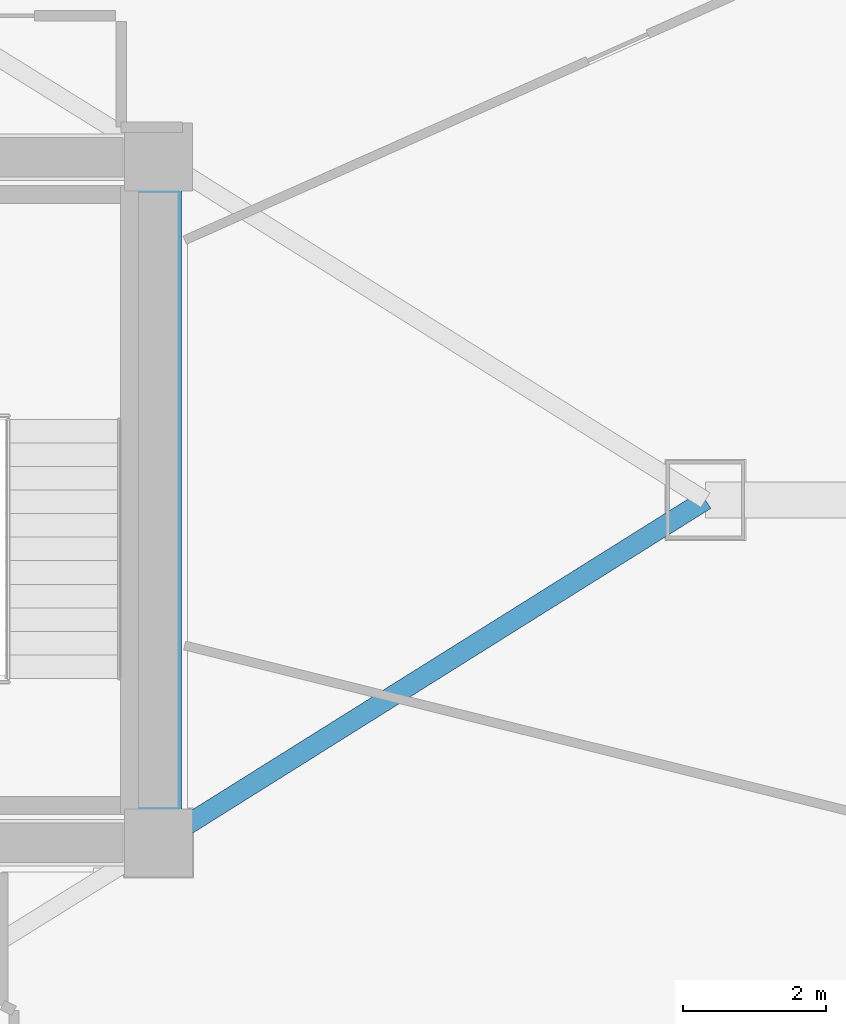
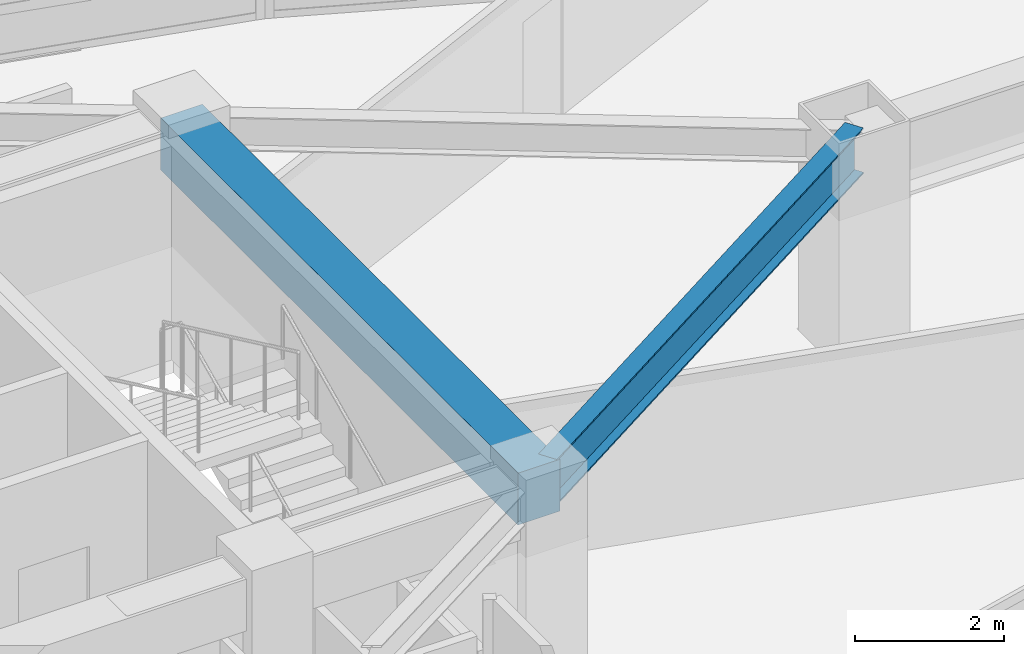
# One storey, part 6 of 18: 2 beams.
"""IFC4 building model written with IfcOpenShell, lengths in metres."""

from ifc_helpers import new_model, si_unit, direction, frame, origin, origin_2d, place, context, subcontext, project, spatial, rectangle, i_section, extrude, material, material_profile, profile_set, type_object, element, save


model = new_model("IFC4")

# Units and contexts
model_context = context("Model", 3, precision=1e-05, world=origin(), true_north=direction((0.0, 1.0)))
body_context = subcontext(model_context, "Body", "Model", "MODEL_VIEW")
ifc_project = project(units=[si_unit("LENGTHUNIT", "METRE"), si_unit("AREAUNIT", "SQUARE_METRE"), si_unit("VOLUMEUNIT", "CUBIC_METRE"), si_unit("PLANEANGLEUNIT", "RADIAN"), si_unit("MASSUNIT", "GRAM", prefix="KILO")], contexts=[model_context])

# Site, building, storey
site_placement = place(None, origin())
site = spatial("IfcSite", under=ifc_project, at=site_placement, CompositionType="ELEMENT")
building_placement = place(site_placement, origin())
building = spatial("IfcBuilding", under=site, at=building_placement, Name="Menara Vayukalpa", CompositionType="ELEMENT")
storey_placement = place(building_placement, frame((0.0, 0.0, 158.0400390625)))
storey = spatial("IfcBuildingStorey", under=building, at=storey_placement, Name="L39", CompositionType="ELEMENT", Elevation=158.0400390625)

# Beams
ifc_material_1 = material(Name="Concrete C60/75", Category="concrete")
ifc_material_profile_1 = material_profile(ifc_material_1, rectangle(XDim=0.64990234375, YDim=0.85009765625, at=origin_2d()), Name="RC 650x850")
ifc_profile_set_1 = profile_set([ifc_material_profile_1], Name="Concrete C60/75")
beam_type_1 = type_object("IfcBeamType", Name="BM-CB1", PredefinedType="BEAM", material=ifc_profile_set_1)
beam_1_placement = place(storey_placement, frame((33.39990234375, 17.199951171875, 3.074951171875), z_axis=(0.0, 1.0, 0.0), x_axis=(-1.0, 0.0, 0.0)))
element("IfcBeam", 1, at=beam_1_placement, inside=storey, type_object=beam_type_1, Name="L39 Core Tie Beam CBR8", PredefinedType="BEAM", context=body_context, shape_type="SweptSolid", body=[
    extrude(rectangle(XDim=0.64990234375, YDim=0.85009765625, at=origin_2d()), origin(), (0.0, 0.0, 1.0), 9.60009765625),
])
ifc_material_2 = material(Name="Steel S355", Category="steel")
ifc_material_profile_2 = material_profile(ifc_material_2, i_section(OverallWidth=0.280029296875, OverallDepth=0.75, WebThickness=0.013916015625, FlangeThickness=0.02490234375, at=origin_2d()), Name="WF 750x280x14x25")
ifc_profile_set_2 = profile_set([ifc_material_profile_2], Name="Steel S355")
beam_type_2 = type_object("IfcBeamType", Name="BM-PG4", PredefinedType="BEAM", material=ifc_profile_set_2)
beam_2_placement = place(storey_placement, frame((33.61181640625, 17.332763671875, 3.125), z_axis=(0.847348467727, 0.531037262573, 0.0), x_axis=(-0.531037262573, 0.847348467727, 0.0)))
element("IfcBeam", 2, at=beam_2_placement, inside=storey, type_object=beam_type_2, Name="L39 Primary Radial Girder RG01", PredefinedType="BEAM", context=body_context, shape_type="SweptSolid", body=[
    extrude(i_section(OverallWidth=0.280029296875, OverallDepth=0.75, WebThickness=0.013916015625, FlangeThickness=0.02490234375, at=origin_2d()), origin(), (0.0, 0.0, 1.0), 8.788818359375),
])

save(model, "model.ifc")
